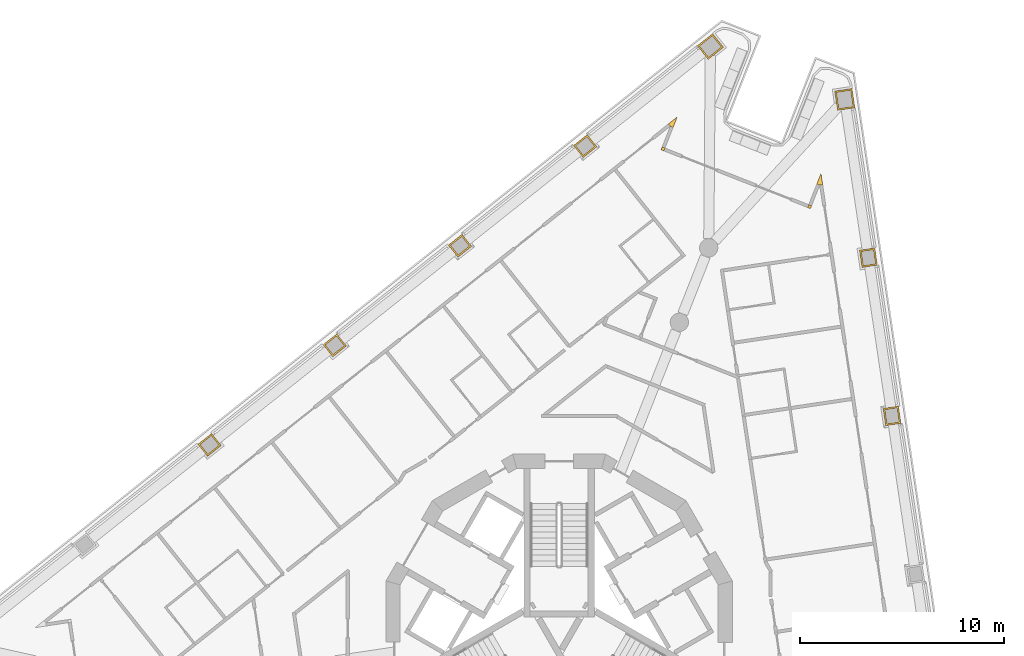
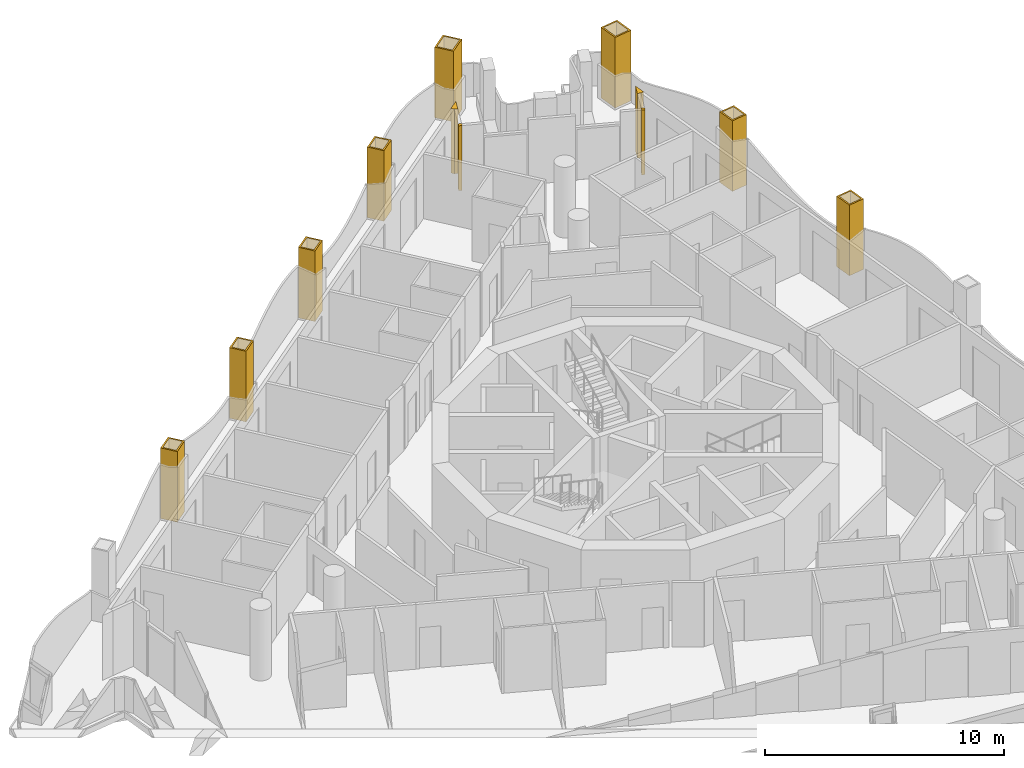
# One storey, part 15 of 16: 12 coverings.
"""IFC4 building model written with IfcOpenShell, lengths in metres."""

from ifc_helpers import new_model, si_unit, direction, frame, origin, place, context, subcontext, project, spatial, polyline, outline, extrude, material, layer, layer_set, type_object, element, save


model = new_model("IFC4")

# Units and contexts
model_context = context("Model", 3, precision=1e-05, world=origin(), true_north=direction((0.0, 1.0)))
body_context = subcontext(model_context, "Body", "Model", "MODEL_VIEW")
ifc_project = project(units=[si_unit("LENGTHUNIT", "METRE"), si_unit("AREAUNIT", "SQUARE_METRE"), si_unit("VOLUMEUNIT", "CUBIC_METRE"), si_unit("PLANEANGLEUNIT", "RADIAN"), si_unit("MASSUNIT", "GRAM", prefix="KILO")], contexts=[model_context])

# Site, building, storey
site_placement = place(None, origin())
site = spatial("IfcSite", under=ifc_project, at=site_placement, CompositionType="ELEMENT")
building_placement = place(site_placement, origin())
building = spatial("IfcBuilding", under=site, at=building_placement, Name="Trine Commons Tower", CompositionType="ELEMENT")
storey_placement = place(building_placement, frame((0.0, 0.0, 201.60009765625)))
storey = spatial("IfcBuildingStorey", under=building, at=storey_placement, Name="L52", CompositionType="ELEMENT", Elevation=201.60009765625)

# Coverings
ifc_material_1 = material(Name="Aluminium-framed insulated wall panel", Category="aluminium")
ifc_layer_1 = layer(ifc_material_1, 0.14990234375)
ifc_layer_set_1 = layer_set([ifc_layer_1], Name="Aluminium-framed insulated wall panel")
covering_type_1 = type_object("IfcCoveringType", Name="Glazing corner post, aluminium", PredefinedType="CLADDING", material=ifc_layer_set_1)
covering_1_placement = place(storey_placement, origin())
element("IfcCovering", 1, at=covering_1_placement, inside=storey, type_object=covering_type_1, Name="Glazing corner post 6-02", PredefinedType="CLADDING", context=body_context, shape_type="SweptSolid", body=[
    extrude(outline(polyline([(85.451416015625, 87.089599609375), (85.451416015625, 87.089599609375), (85.591064453125, 87.03466796875), (85.796142578125, 87.5556640625), (85.358154296875, 87.20703125), (85.451416015625, 87.089599609375)])), origin(), (0.0, 0.0, 1.0), 3.2998046875),
])
covering_2_placement = place(storey_placement, origin())
element("IfcCovering", 2, at=covering_2_placement, inside=storey, type_object=covering_type_1, Name="Glazing corner post 6-03", PredefinedType="CLADDING", context=body_context, shape_type="SweptSolid", body=[
    extrude(outline(polyline([(85.13818359375, 85.885009765625), (85.193115234375, 86.0244140625), (85.0537109375, 86.07958984375), (84.99853515625, 85.93994140625), (85.13818359375, 85.885009765625)])), origin(), (0.0, 0.0, 1.0), 3.2998046875),
])
covering_3_placement = place(storey_placement, origin())
element("IfcCovering", 3, at=covering_3_placement, inside=storey, type_object=covering_type_1, Name="Glazing corner post 6-04", PredefinedType="CLADDING", context=body_context, shape_type="SweptSolid", body=[
    extrude(outline(polyline([(92.190673828125, 83.10693359375), (92.330322265625, 83.052001953125), (92.38525390625, 83.19140625), (92.24560546875, 83.246337890625), (92.190673828125, 83.10693359375)])), origin(), (0.0, 0.0, 1.0), 3.2998046875),
])
covering_4_placement = place(storey_placement, origin())
element("IfcCovering", 4, at=covering_4_placement, inside=storey, type_object=covering_type_1, Name="Glazing corner post 6-05", PredefinedType="CLADDING", context=body_context, shape_type="SweptSolid", body=[
    extrude(outline(polyline([(92.6435546875, 84.256591796875), (92.783203125, 84.20166015625), (92.931396484375, 84.223876953125), (92.848876953125, 84.777587890625), (92.6435546875, 84.256591796875)])), origin(), (0.0, 0.0, 1.0), 3.2998046875),
])
ifc_material_2 = material(Name="Limestone, honed", Category="masonry")
ifc_layer_2 = layer(ifc_material_2, 0.074951171875)
ifc_layer_set_2 = layer_set([ifc_layer_2], Name="Limestone, honed")
covering_type_2 = type_object("IfcCoveringType", Name="Limestone column cladding 75", PredefinedType="CLADDING", material=ifc_layer_set_2)
covering_5_placement = place(storey_placement, origin())
element("IfcCovering", 5, at=covering_5_placement, inside=storey, type_object=covering_type_2, Name="Limestone pier cladding 6-10", PredefinedType="CLADDING", context=body_context, shape_type="SweptSolid", body=[
    extrude(outline(polyline([(63.40966796875, 71.4287109375), (62.942626953125, 72.015625), (62.27734375, 71.486572265625), (62.744384765625, 70.899658203125), (63.40966796875, 71.4287109375)]), holes=[polyline([(63.30419921875, 71.440673828125), (62.9306640625, 71.910400390625), (62.3828125, 71.474609375), (62.75634765625, 71.0048828125), (63.30419921875, 71.440673828125)])]), origin(), (0.0, 0.0, 1.0), 3.599853515625),
])
covering_6_placement = place(storey_placement, origin())
element("IfcCovering", 6, at=covering_6_placement, inside=storey, type_object=covering_type_2, Name="Limestone pier cladding 6-11", PredefinedType="CLADDING", context=body_context, shape_type="SweptSolid", body=[
    extrude(outline(polyline([(69.553466796875, 76.31591796875), (69.086669921875, 76.902587890625), (68.42138671875, 76.37353515625), (68.88818359375, 75.78662109375), (69.553466796875, 76.31591796875)]), holes=[polyline([(69.447998046875, 76.327880859375), (69.07470703125, 76.79736328125), (68.526611328125, 76.361572265625), (68.900146484375, 75.89208984375), (69.447998046875, 76.327880859375)])]), origin(), (0.0, 0.0, 1.0), 3.599853515625),
])
covering_7_placement = place(storey_placement, origin())
element("IfcCovering", 7, at=covering_7_placement, inside=storey, type_object=covering_type_2, Name="Limestone pier cladding 6-12", PredefinedType="CLADDING", context=body_context, shape_type="SweptSolid", body=[
    extrude(outline(polyline([(75.697509765625, 81.202880859375), (75.230712890625, 81.789794921875), (74.565185546875, 81.2607421875), (75.0322265625, 80.673828125), (75.697509765625, 81.202880859375)]), holes=[polyline([(75.592041015625, 81.21484375), (75.218505859375, 81.6845703125), (74.670654296875, 81.248779296875), (75.044189453125, 80.779052734375), (75.592041015625, 81.21484375)])]), origin(), (0.0, 0.0, 1.0), 3.599853515625),
])
covering_8_placement = place(storey_placement, origin())
element("IfcCovering", 8, at=covering_8_placement, inside=storey, type_object=covering_type_2, Name="Limestone pier cladding 6-13", PredefinedType="CLADDING", context=body_context, shape_type="SweptSolid", body=[
    extrude(outline(polyline([(81.84130859375, 86.090087890625), (81.37451171875, 86.677001953125), (80.709228515625, 86.147705078125), (81.176025390625, 85.560791015625), (81.84130859375, 86.090087890625)]), holes=[polyline([(81.736083984375, 86.10205078125), (81.362548828125, 86.571533203125), (80.814697265625, 86.1357421875), (81.18798828125, 85.666259765625), (81.736083984375, 86.10205078125)])]), origin(), (0.0, 0.0, 1.0), 3.599853515625),
])
covering_9_placement = place(storey_placement, origin())
element("IfcCovering", 9, at=covering_9_placement, inside=storey, type_object=covering_type_2, Name="Limestone pier cladding 6-14", PredefinedType="CLADDING", context=body_context, shape_type="SweptSolid", body=[
    extrude(outline(polyline([(88.0556640625, 90.968994140625), (87.526611328125, 91.63427734375), (86.782958984375, 91.04296875), (87.31201171875, 90.377685546875), (88.0556640625, 90.968994140625)]), holes=[polyline([(87.9501953125, 90.981201171875), (87.514404296875, 91.52880859375), (86.888427734375, 91.031005859375), (87.32421875, 90.483154296875), (87.9501953125, 90.981201171875)])]), origin(), (0.0, 0.0, 1.0), 3.599853515625),
])
covering_10_placement = place(storey_placement, origin())
element("IfcCovering", 10, at=covering_10_placement, inside=storey, type_object=covering_type_2, Name="Limestone pier cladding 6-15", PredefinedType="CLADDING", context=body_context, shape_type="SweptSolid", body=[
    extrude(outline(polyline([(94.364990234375, 88.9404296875), (93.5244140625, 88.81494140625), (93.664794921875, 87.875244140625), (94.505615234375, 88.0009765625), (94.364990234375, 88.9404296875)]), holes=[polyline([(94.302001953125, 88.855224609375), (93.609619140625, 88.751708984375), (93.72802734375, 87.960693359375), (94.42041015625, 88.06396484375), (94.302001953125, 88.855224609375)])]), origin(), (0.0, 0.0, 1.0), 3.599853515625),
])
covering_11_placement = place(storey_placement, origin())
element("IfcCovering", 11, at=covering_11_placement, inside=storey, type_object=covering_type_2, Name="Limestone pier cladding 6-16", PredefinedType="CLADDING", context=body_context, shape_type="SweptSolid", body=[
    extrude(outline(polyline([(95.4833984375, 81.119384765625), (94.74169921875, 81.00830078125), (94.8671875, 80.167724609375), (95.609130859375, 80.278564453125), (95.4833984375, 81.119384765625)]), holes=[polyline([(95.42041015625, 81.033935546875), (94.826904296875, 80.9453125), (94.930419921875, 80.2529296875), (95.523681640625, 80.341796875), (95.42041015625, 81.033935546875)])]), origin(), (0.0, 0.0, 1.0), 3.599853515625),
])
covering_12_placement = place(storey_placement, origin())
element("IfcCovering", 12, at=covering_12_placement, inside=storey, type_object=covering_type_2, Name="Limestone pier cladding 6-17", PredefinedType="CLADDING", context=body_context, shape_type="SweptSolid", body=[
    extrude(outline(polyline([(96.643798828125, 73.35498046875), (95.902099609375, 73.244140625), (96.027587890625, 72.4033203125), (96.769287109375, 72.514404296875), (96.643798828125, 73.35498046875)]), holes=[polyline([(96.580810546875, 73.269775390625), (95.9873046875, 73.180908203125), (96.0908203125, 72.48876953125), (96.68408203125, 72.577392578125), (96.580810546875, 73.269775390625)])]), origin(), (0.0, 0.0, 1.0), 3.599853515625),
])

save(model, "model.ifc")
